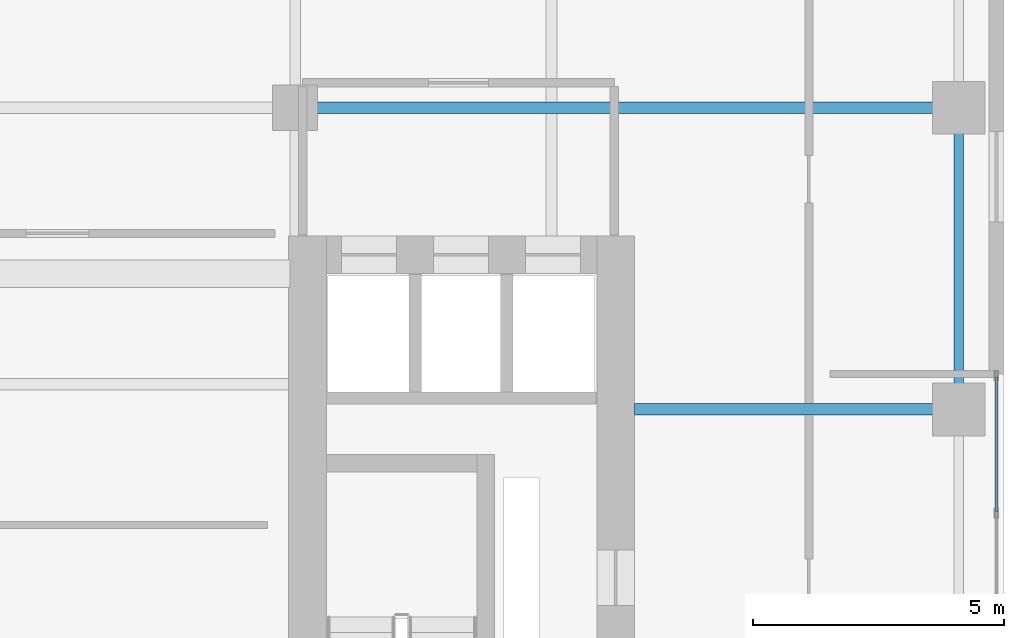
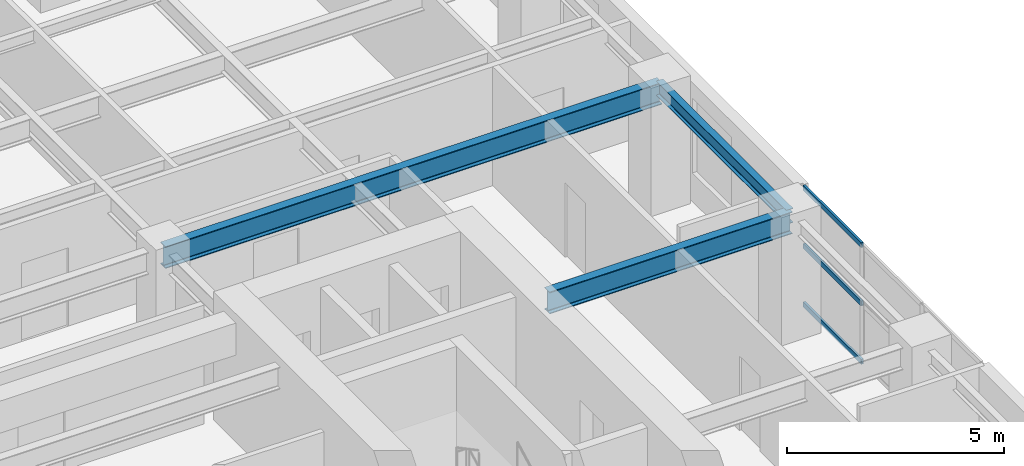
# One storey, part 5 of 14: 3 beams, 3 members, 1 element without a shape of its own.
"""IFC4 building model written with IfcOpenShell, lengths in metres."""

from ifc_helpers import new_model, si_unit, direction, frame, origin, origin_2d, place, context, subcontext, project, spatial, hollow_rectangle, i_section, extrude, source, transform, mapped, material, layer, layer_set, material_profile, profile_set, type_object, element, aggregate, save


model = new_model("IFC4")

# Units and contexts
model_context = context("Model", 3, precision=1e-05, world=origin(), true_north=direction((0.0, 1.0)))
body_context = subcontext(model_context, "Body", "Model", "MODEL_VIEW")
ifc_project = project(units=[si_unit("LENGTHUNIT", "METRE"), si_unit("AREAUNIT", "SQUARE_METRE"), si_unit("VOLUMEUNIT", "CUBIC_METRE"), si_unit("PLANEANGLEUNIT", "RADIAN"), si_unit("MASSUNIT", "GRAM", prefix="KILO")], contexts=[model_context])

# Site, building, storey
site_placement = place(None, origin())
site = spatial("IfcSite", under=ifc_project, at=site_placement, CompositionType="ELEMENT")
building_placement = place(site_placement, origin())
building = spatial("IfcBuilding", under=site, at=building_placement, Name="Khoralis Quay Care Tower", CompositionType="ELEMENT")
storey_placement = place(building_placement, frame((0.0, 0.0, 108.89990234375)))
storey = spatial("IfcBuildingStorey", under=building, at=storey_placement, Name="L28", CompositionType="ELEMENT", Elevation=108.89990234375)

# Beams
ifc_material_1 = material(Name="Steel S355", Category="steel")
ifc_material_profile_1 = material_profile(ifc_material_1, i_section(OverallWidth=0.179931640625, OverallDepth=0.39990234375, WebThickness=0.008544921875, FlangeThickness=0.013427734375, FilletRadius=0.02099609375, at=origin_2d()), Name="Steel S355")
ifc_profile_set_1 = profile_set([ifc_material_profile_1], Name="Steel S355")
beam_type_1 = type_object("IfcBeamType", Name="BM-IPE400", PredefinedType="SPANDREL", material=ifc_profile_set_1)
shared_shape_1 = source(origin(), body_context, "Body", "SweptSolid", [
    extrude(i_section(OverallWidth=0.179931640625, OverallDepth=0.39990234375, WebThickness=0.008544921875, FlangeThickness=0.013427734375, FilletRadius=0.02099609375, at=origin_2d()), origin(), (0.0, 0.0, 1.0), 6.0),
])
beam_1_placement = place(storey_placement, frame((44.10009765625, 24.0, 3.14013671875), z_axis=(0.0, 1.0, 0.0), x_axis=(-1.0, 0.0, 0.0)))
element("IfcBeam", 1, at=beam_1_placement, inside=storey, type_object=beam_type_1, Name="BM-TSP-L28-19", PredefinedType="SPANDREL", context=body_context, shape_type="MappedRepresentation", body=[
    mapped(shared_shape_1, transform((0.0, 0.0, 0.0), scale=1.0)),
])
ifc_material_profile_2 = material_profile(ifc_material_1, i_section(OverallWidth=0.22998046875, OverallDepth=0.616943359375, WebThickness=0.01318359375, FlangeThickness=0.022216796875, FilletRadius=0.01806640625, at=origin_2d()), Name="Steel S355")
ifc_profile_set_2 = profile_set([ifc_material_profile_2], Name="Steel S355")
beam_type_2 = type_object("IfcBeamType", Name="BM-W610X140", PredefinedType="BEAM", material=ifc_profile_set_2)
shared_shape_2 = source(origin(), body_context, "Body", "SweptSolid", [
    extrude(i_section(OverallWidth=0.22998046875, OverallDepth=0.616943359375, WebThickness=0.01318359375, FlangeThickness=0.022216796875, FilletRadius=0.01806640625, at=origin_2d()), origin(), (0.0, 0.0, 1.0), 13.2001953125),
])
beam_2_placement = place(storey_placement, frame((30.89990234375, 30.0, 3.031494140625), z_axis=(1.0, 0.0, 0.0), x_axis=(0.0, 1.0, 0.0)))
element("IfcBeam", 2, at=beam_2_placement, inside=storey, type_object=beam_type_2, Name="BM-TGXE-L28-300", PredefinedType="BEAM", context=body_context, shape_type="MappedRepresentation", body=[
    mapped(shared_shape_2, transform((0.0, 0.0, 0.0), scale=1.0)),
])
shared_shape_3 = source(origin(), body_context, "Body", "SweptSolid", [
    extrude(i_section(OverallWidth=0.22998046875, OverallDepth=0.616943359375, WebThickness=0.01318359375, FlangeThickness=0.022216796875, FilletRadius=0.01806640625, at=origin_2d()), origin(), (0.0, 0.0, 1.0), 6.4521484375),
])
beam_3_placement = place(storey_placement, frame((37.64794921875, 24.0, 3.031494140625), z_axis=(1.0, 0.0, 0.0), x_axis=(0.0, 1.0, 0.0)))
element("IfcBeam", 3, at=beam_3_placement, inside=storey, type_object=beam_type_2, Name="BM-TGXE-L28-240", PredefinedType="BEAM", context=body_context, shape_type="MappedRepresentation", body=[
    mapped(shared_shape_3, transform((0.0, 0.0, 0.0), scale=1.0)),
])

# Curtain wall, members
ifc_material_2 = material(Name="Pale anodised aluminium", Category="aluminium")
ifc_layer = layer(ifc_material_2, 0.169921875)
ifc_layer_set = layer_set([ifc_layer], Name="Pale anodised aluminium")
curtain_wall_type = type_object("IfcCurtainWallType", Name="CW-SYS-Z2", PredefinedType="NOTDEFINED", material=ifc_layer_set)
curtain_wall_placement = place(storey_placement, origin())
curtain_wall = element("IfcCurtainWall", 4, at=curtain_wall_placement, inside=storey, type_object=curtain_wall_type, Name="L28 Unitised Curtain Wall CW-L28-P1-E5", PredefinedType="NOTDEFINED")
ifc_material_profile_3 = material_profile(ifc_material_2, hollow_rectangle(XDim=0.06005859375, YDim=0.139892578125, WallThickness=0.00390625, at=origin_2d()), Name="Pale anodised aluminium")
ifc_profile_set_3 = profile_set([ifc_material_profile_3], Name="Pale anodised aluminium")
member_type = type_object("IfcMemberType", Name="CW-TRN-140", PredefinedType="USERDEFINED", material=ifc_profile_set_3)
shared_shape_4 = source(origin(), body_context, "Body", "SweptSolid", [
    extrude(hollow_rectangle(XDim=0.06005859375, YDim=0.139892578125, WallThickness=0.00390625, at=origin_2d()), origin(), (0.0, 0.0, 1.0), 2.676513671875),
])
member_1_placement = place(storey_placement, frame((44.85009765625, 21.96337890625, 0.030029296875), z_axis=(0.0, 1.0, 0.0), x_axis=(-1.0, 0.0, 0.0)))
member_1 = element("IfcMember", 5, at=member_1_placement, type_object=member_type, Name="CW2 transom 3.1", ObjectType="TRANSOM", PredefinedType="USERDEFINED", context=body_context, shape_type="MappedRepresentation", body=[
    mapped(shared_shape_4, transform((0.0, 0.0, 0.0), scale=1.0)),
])
member_2_placement = place(storey_placement, frame((44.85009765625, 21.96337890625, 1.670166015625), z_axis=(0.0, 1.0, 0.0), x_axis=(-1.0, 0.0, 0.0)))
member_2 = element("IfcMember", 6, at=member_2_placement, type_object=member_type, Name="CW2 transom 3.2", ObjectType="TRANSOM", PredefinedType="USERDEFINED", context=body_context, shape_type="MappedRepresentation", body=[
    mapped(shared_shape_4, transform((0.0, 0.0, 0.0), scale=1.0)),
])
member_3_placement = place(storey_placement, frame((44.85009765625, 21.96337890625, 3.31005859375), z_axis=(0.0, 1.0, 0.0), x_axis=(-1.0, 0.0, 0.0)))
member_3 = element("IfcMember", 7, at=member_3_placement, type_object=member_type, Name="CW2 transom 3.3", ObjectType="TRANSOM", PredefinedType="USERDEFINED", context=body_context, shape_type="MappedRepresentation", body=[
    mapped(shared_shape_4, transform((0.0, 0.0, 0.0), scale=1.0)),
])
aggregate(curtain_wall, [member_1, member_2, member_3])

save(model, "model.ifc")
